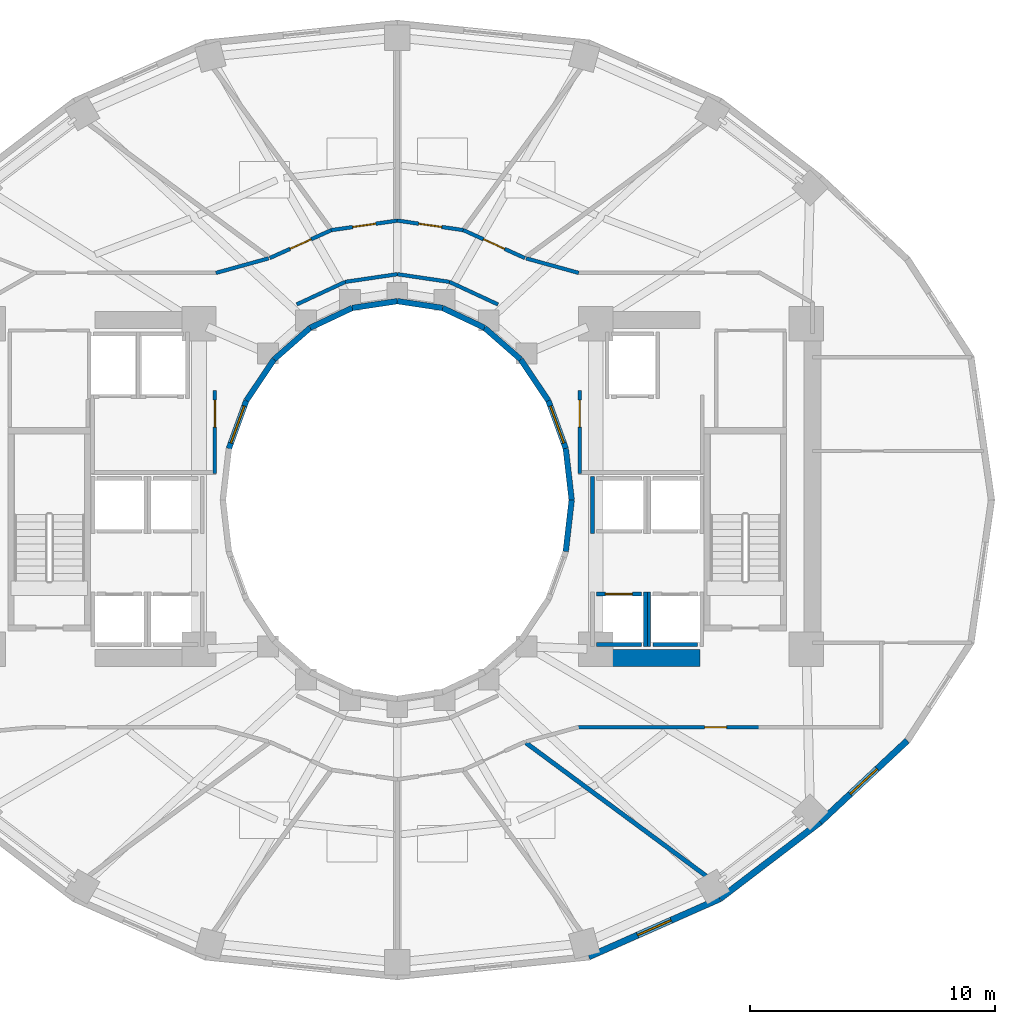
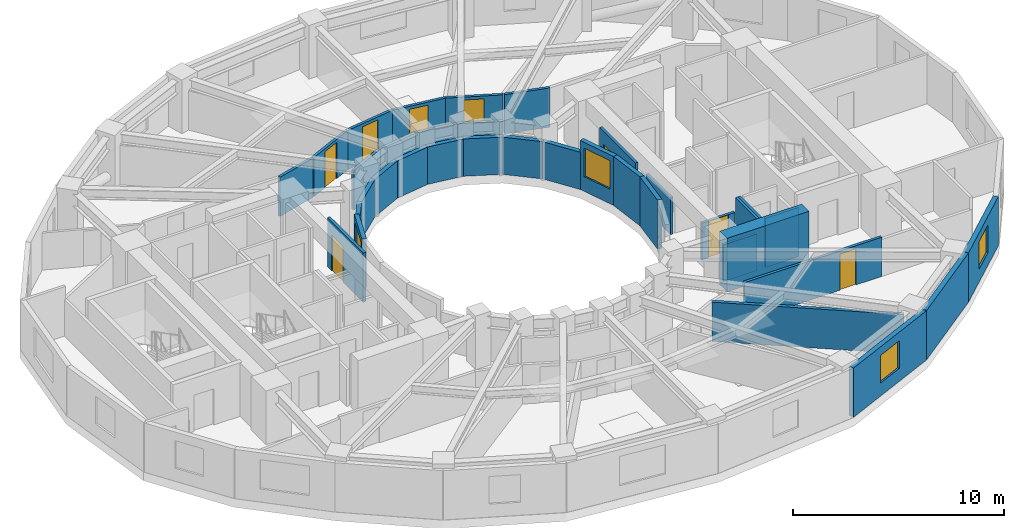
# One storey, part 5 of 9: 36 walls, 8 doors, 4 windows, 12 openings.
"""IFC4 building model written with IfcOpenShell, lengths in metres."""

from ifc_helpers import new_model, si_unit, direction, frame, frame_2d, origin, place, context, subcontext, project, spatial, rectangle, extrude, material, layer, layer_set, type_object, element, fill, save


model = new_model("IFC4")

# Units and contexts
model_context = context("Model", 3, precision=1e-05, world=origin(), true_north=direction((0.0, 1.0)))
body_context = subcontext(model_context, "Body", "Model", "MODEL_VIEW")
ifc_project = project(units=[si_unit("LENGTHUNIT", "METRE"), si_unit("AREAUNIT", "SQUARE_METRE"), si_unit("VOLUMEUNIT", "CUBIC_METRE"), si_unit("PLANEANGLEUNIT", "RADIAN"), si_unit("MASSUNIT", "GRAM", prefix="KILO")], contexts=[model_context])

# Site, building, storey
site_placement = place(None, origin())
site = spatial("IfcSite", under=ifc_project, at=site_placement, CompositionType="ELEMENT")
building_placement = place(site_placement, origin())
building = spatial("IfcBuilding", under=site, at=building_placement, Name="Solvane Sanctuary Tower", CompositionType="ELEMENT")
storey_placement = place(building_placement, frame((0.0, 0.0, 104.199951171875)))
storey = spatial("IfcBuildingStorey", under=building, at=storey_placement, Name="L31", CompositionType="ELEMENT", Elevation=104.199951171875)

# Wall
ifc_material_1 = material(Name="Concrete C60/75", Category="concrete")
ifc_layer_1 = layer(ifc_material_1, 0.699951171875, Name="Concrete C60/75")
ifc_layer_set_1 = layer_set([ifc_layer_1], Name="Concrete C60/75")
wall_type_1 = type_object("IfcWallType", Name="Wall W-CORE-700", PredefinedType="SHEAR", material=ifc_layer_set_1)
wall_1_placement = place(storey_placement, frame((39.85009765625, 16.550048828125, 0.0), z_axis=(0.0, 0.0, 1.0), x_axis=(1.0, 0.0, 0.0)))
element("IfcWall", 1, at=wall_1_placement, inside=storey, type_object=wall_type_1, Name="L31 Core Shear Wall EC-S", PredefinedType="SHEAR", context=body_context, shape_type="SweptSolid", body=[
    extrude(rectangle(XDim=4.5, YDim=0.699951171875, at=frame_2d((2.25, 0.0))), origin(), (0.0, 0.0, 1.0), 3.10009765625),
])

# Wall, opening, door
ifc_material_2 = material(Name="Acoustic Gypsum Partition Board")
ifc_layer_2 = layer(ifc_material_2, 0.14990234375, Name="Acoustic Gypsum Partition Board")
ifc_layer_set_2 = layer_set([ifc_layer_2], Name="Acoustic Gypsum Partition Board")
wall_type_2 = type_object("IfcWallType", Name="Wall W-CORR-150", PredefinedType="PARTITIONING", material=ifc_layer_set_2)
wall_2_placement = place(storey_placement, frame((24.550048828125, 24.080078125, 0.0), z_axis=(0.0, 0.0, 1.0), x_axis=(0.0, 1.0, 0.0)))
wall_2 = element("IfcWall", 2, at=wall_2_placement, inside=storey, type_object=wall_type_2, Name="L31 West Firefighting Lobby East Wall", PredefinedType="PARTITIONING", context=body_context, shape_type="SweptSolid", body=[
    extrude(rectangle(XDim=3.39990234375, YDim=0.14990234375, at=frame_2d((1.699951171875, 0.0))), origin(), (0.0, 0.0, 1.0), 2.85498046875),
])
opening_1_placement = place(wall_2_placement, frame((1.893798828125, 0.0, 0.0)))
opening_1 = element("IfcOpeningElement", 3, at=opening_1_placement, cuts=wall_2, Name="Opening D-L31-04", PredefinedType="OPENING", context=body_context, shape_type="SweptSolid", body=[
    extrude(rectangle(XDim=1.10009765625, YDim=2.10009765625, at=frame_2d((0.550048828125, 1.050048828125))), frame((0.0, 0.0849609375, 0.0), z_axis=(0.0, -1.0, 0.0), x_axis=(1.0, 0.0, 0.0)), (0.0, 0.0, 1.0), 0.169921875),
])
ifc_material_3 = material(Name="Architectural Stainless Steel 316", Category="steel")
door_type_1 = type_object("IfcDoorType", Name="Door D-FFL", OperationType="NOTDEFINED", PredefinedType="DOOR", material=ifc_material_3)
door_1_placement = place(opening_1_placement, origin())
door_1 = element("IfcDoor", 4, at=door_1_placement, inside=storey, type_object=door_type_1, Name="L31 West Firefighting Lobby Fire Door", OperationType="SINGLE_SWING_LEFT", OverallHeight=2.10009765625, OverallWidth=1.10009765625, PredefinedType="DOOR", context=body_context, shape_type="SweptSolid", body=[
    extrude(rectangle(XDim=1.10009765625, YDim=2.10009765625, at=frame_2d((0.550048828125, 1.050048828125))), frame((0.0, 0.02490234375, 0.0), z_axis=(0.0, -1.0, 0.0), x_axis=(1.0, 0.0, 0.0)), (0.0, 0.0, 1.0), 0.050048828125),
])
fill(opening_1, door_1)

wall_3_placement = place(storey_placement, frame((39.449951171875, 24.080078125, 0.0), z_axis=(0.0, 0.0, 1.0), x_axis=(0.0, 1.0, 0.0)))
wall_3 = element("IfcWall", 5, at=wall_3_placement, inside=storey, type_object=wall_type_2, Name="L31 East Firefighting Lobby West Wall", PredefinedType="PARTITIONING", context=body_context, shape_type="SweptSolid", body=[
    extrude(rectangle(XDim=3.39990234375, YDim=0.14990234375, at=frame_2d((1.699951171875, 0.0))), origin(), (0.0, 0.0, 1.0), 2.85498046875),
])
opening_2_placement = place(wall_3_placement, frame((1.893798828125, 0.0, 0.0)))
opening_2 = element("IfcOpeningElement", 6, at=opening_2_placement, cuts=wall_3, Name="Opening D-L31-05", PredefinedType="OPENING", context=body_context, shape_type="SweptSolid", body=[
    extrude(rectangle(XDim=1.10009765625, YDim=2.10009765625, at=frame_2d((0.550048828125, 1.050048828125))), frame((0.0, 0.0849609375, 0.0), z_axis=(0.0, -1.0, 0.0), x_axis=(1.0, 0.0, 0.0)), (0.0, 0.0, 1.0), 0.169921875),
])
door_2_placement = place(opening_2_placement, origin())
door_2 = element("IfcDoor", 7, at=door_2_placement, inside=storey, type_object=door_type_1, Name="L31 East Firefighting Lobby Fire Door", OperationType="SINGLE_SWING_RIGHT", OverallHeight=2.10009765625, OverallWidth=1.10009765625, PredefinedType="DOOR", context=body_context, shape_type="SweptSolid", body=[
    extrude(rectangle(XDim=1.10009765625, YDim=2.10009765625, at=frame_2d((0.550048828125, 1.050048828125))), frame((0.0, 0.02490234375, 0.0), z_axis=(0.0, -1.0, 0.0), x_axis=(1.0, 0.0, 0.0)), (0.0, 0.0, 1.0), 0.050048828125),
])
fill(opening_2, door_2)

# Walls
wall_4_placement = place(storey_placement, frame((36.110107421875, 30.98486328125, 0.0), z_axis=(0.0, 0.0, 1.0), x_axis=(-0.906943449489, 0.421252393975, 0.0)))
element("IfcWall", 8, at=wall_4_placement, inside=storey, type_object=wall_type_2, Name="L31 Light-Well Corridor Rim Wall N1", PredefinedType="PARTITIONING", context=body_context, shape_type="SweptSolid", body=[
    extrude(rectangle(XDim=2.18603515625, YDim=0.14990234375, at=frame_2d((1.093017578125, 0.0))), origin(), (0.0, 0.0, 1.0), 2.27197265625),
])
for number, where, z_axis, x_axis, name in (
    (9, (34.12744140625, 31.90576171875, 0.0), (0.0, 0.0, 1.0), (-0.989268584896, 0.146108408166, 0.0), "L31 Light-Well Corridor Rim Wall N2"),
    (10, (32.0, 32.219970703125, 0.0), (0.0, 0.0, 1.0), (-0.989268584896, -0.146108408166, 0.0), "L31 Light-Well Corridor Rim Wall N3"),
):
    element("IfcWall", number, at=place(storey_placement, frame(where, z_axis=z_axis, x_axis=x_axis)), inside=storey, type_object=wall_type_2, Name=name, PredefinedType="PARTITIONING", context=body_context, shape_type="SweptSolid", body=[
        extrude(rectangle(XDim=2.150634765625, YDim=0.14990234375, at=frame_2d((1.0751953125, 0.0))), origin(), (0.0, 0.0, 1.0), 2.27197265625),
    ])
wall_5_placement = place(storey_placement, frame((29.87255859375, 31.90576171875, 0.0), z_axis=(0.0, 0.0, 1.0), x_axis=(-0.906943449489, -0.421252393975, 0.0)))
element("IfcWall", 11, at=wall_5_placement, inside=storey, type_object=wall_type_2, Name="L31 Light-Well Corridor Rim Wall N4", PredefinedType="PARTITIONING", context=body_context, shape_type="SweptSolid", body=[
    extrude(rectangle(XDim=2.18603515625, YDim=0.14990234375, at=frame_2d((1.093017578125, 0.0))), origin(), (0.0, 0.0, 1.0), 2.27197265625),
])
for number, where, z_axis, x_axis, name in (
    (12, (37.258056640625, 32.86669921875, 0.0), (0.0, 0.0, 1.0), (0.963833843713, -0.266503886865, 0.0), "L31 NE Corner Throat Wall"),
    (13, (26.741943359375, 32.86669921875, 0.0), (0.0, 0.0, 1.0), (-0.963833843713, -0.266503886865, 0.0), "L31 NW Corner Throat Wall"),
):
    element("IfcWall", number, at=place(storey_placement, frame(where, z_axis=z_axis, x_axis=x_axis)), inside=storey, type_object=wall_type_2, Name=name, PredefinedType="PARTITIONING", context=body_context, shape_type="SweptSolid", body=[
        extrude(rectangle(XDim=2.231689453125, YDim=0.14990234375, at=frame_2d((1.11572265625, 0.0))), origin(), (0.0, 0.0, 1.0), 2.27197265625),
    ])

# Wall, opening, door
wall_6_placement = place(storey_placement, frame((39.330078125, 13.719970703125, 0.0), z_axis=(0.0, 0.0, 1.0), x_axis=(1.0, 0.0, 0.0)))
wall_6 = element("IfcWall", 14, at=wall_6_placement, inside=storey, type_object=wall_type_2, Name="L31 SE Corner Corridor Wall", PredefinedType="PARTITIONING", context=body_context, shape_type="SweptSolid", body=[
    extrude(rectangle(XDim=7.52001953125, YDim=0.14990234375, at=frame_2d((3.760009765625, 0.0))), origin(), (0.0, 0.0, 1.0), 2.27197265625),
])
opening_3_placement = place(wall_6_placement, frame((5.219970703125, 0.0, 0.0)))
opening_3 = element("IfcOpeningElement", 15, at=opening_3_placement, cuts=wall_6, Name="Opening D-L31-15", PredefinedType="OPENING", context=body_context, shape_type="SweptSolid", body=[
    extrude(rectangle(XDim=0.89990234375, YDim=2.10009765625, at=frame_2d((0.449951171875, 1.050048828125))), frame((0.0, 0.0849609375, 0.0), z_axis=(0.0, -1.0, 0.0), x_axis=(1.0, 0.0, 0.0)), (0.0, 0.0, 1.0), 0.169921875),
])
ifc_material_4 = material(Name="Engineered Tropical Hardwood", Category="wood")
door_type_2 = type_object("IfcDoorType", Name="Door D-WET-900", OperationType="NOTDEFINED", PredefinedType="DOOR", material=ifc_material_4)
door_3_placement = place(opening_3_placement, origin())
door_3 = element("IfcDoor", 16, at=door_3_placement, inside=storey, type_object=door_type_2, Name="L31 SE Corner Salon Door", OperationType="SINGLE_SWING_RIGHT", OverallHeight=2.10009765625, OverallWidth=0.89990234375, PredefinedType="DOOR", context=body_context, shape_type="SweptSolid", body=[
    extrude(rectangle(XDim=0.89990234375, YDim=2.10009765625, at=frame_2d((0.449951171875, 1.050048828125))), frame((0.0, 0.02490234375, 0.0), z_axis=(0.0, -1.0, 0.0), x_axis=(1.0, 0.0, 0.0)), (0.0, 0.0, 1.0), 0.050048828125),
])
fill(opening_3, door_3)

wall_7_placement = place(storey_placement, frame((37.211181640625, 32.87744140625, 0.0), z_axis=(0.0, 0.0, 1.0), x_axis=(-0.910568469686, 0.41335827319, 0.0)))
wall_7 = element("IfcWall", 17, at=wall_7_placement, inside=storey, type_object=wall_type_2, Name="L31 Unit Corridor Wall N1", PredefinedType="PARTITIONING", context=body_context, shape_type="SweptSolid", body=[
    extrude(rectangle(XDim=2.771728515625, YDim=0.14990234375, at=frame_2d((1.3857421875, 0.0))), origin(), (0.0, 0.0, 1.0), 2.27197265625),
])
opening_4_placement = place(wall_7_placement, frame((0.910888671875, 0.0, 0.0)))
opening_4 = element("IfcOpeningElement", 18, at=opening_4_placement, cuts=wall_7, Name="Opening D-L31-16", PredefinedType="OPENING", context=body_context, shape_type="SweptSolid", body=[
    extrude(rectangle(XDim=0.949951171875, YDim=2.10009765625, at=frame_2d((0.47509765625, 1.050048828125))), frame((0.0, 0.0849609375, 0.0), z_axis=(0.0, -1.0, 0.0), x_axis=(1.0, 0.0, 0.0)), (0.0, 0.0, 1.0), 0.169921875),
])
door_type_3 = type_object("IfcDoorType", Name="Door D-ROOM-950", OperationType="NOTDEFINED", PredefinedType="DOOR", material=ifc_material_4)
door_4_placement = place(opening_4_placement, origin())
door_4 = element("IfcDoor", 19, at=door_4_placement, inside=storey, type_object=door_type_3, Name="L31 Unit Entrance Door N1", OperationType="SINGLE_SWING_LEFT", OverallHeight=2.10009765625, OverallWidth=0.949951171875, PredefinedType="DOOR", context=body_context, shape_type="SweptSolid", body=[
    extrude(rectangle(XDim=0.949951171875, YDim=2.10009765625, at=frame_2d((0.47509765625, 1.050048828125))), frame((0.0, 0.02490234375, 0.0), z_axis=(0.0, -1.0, 0.0), x_axis=(1.0, 0.0, 0.0)), (0.0, 0.0, 1.0), 0.050048828125),
])
fill(opening_4, door_4)

wall_8_placement = place(storey_placement, frame((34.701416015625, 34.01904296875, 0.0), z_axis=(0.0, 0.0, 1.0), x_axis=(-0.989748682384, 0.142819976611, 0.0)))
wall_8 = element("IfcWall", 20, at=wall_8_placement, inside=storey, type_object=wall_type_2, Name="L31 Unit Corridor Wall N2", PredefinedType="PARTITIONING", context=body_context, shape_type="SweptSolid", body=[
    extrude(rectangle(XDim=2.73681640625, YDim=0.14990234375, at=frame_2d((1.368408203125, 0.0))), origin(), (0.0, 0.0, 1.0), 2.27197265625),
])
opening_5_placement = place(wall_8_placement, frame((0.893310546875, 0.0, 0.0)))
opening_5 = element("IfcOpeningElement", 21, at=opening_5_placement, cuts=wall_8, Name="Opening D-L31-17", PredefinedType="OPENING", context=body_context, shape_type="SweptSolid", body=[
    extrude(rectangle(XDim=0.949951171875, YDim=2.10009765625, at=frame_2d((0.47509765625, 1.050048828125))), frame((0.0, 0.0849609375, 0.0), z_axis=(0.0, -1.0, 0.0), x_axis=(1.0, 0.0, 0.0)), (0.0, 0.0, 1.0), 0.169921875),
])
door_5_placement = place(opening_5_placement, origin())
door_5 = element("IfcDoor", 22, at=door_5_placement, inside=storey, type_object=door_type_3, Name="L31 Unit Entrance Door N2", OperationType="SINGLE_SWING_RIGHT", OverallHeight=2.10009765625, OverallWidth=0.949951171875, PredefinedType="DOOR", context=body_context, shape_type="SweptSolid", body=[
    extrude(rectangle(XDim=0.949951171875, YDim=2.10009765625, at=frame_2d((0.47509765625, 1.050048828125))), frame((0.0, 0.02490234375, 0.0), z_axis=(0.0, -1.0, 0.0), x_axis=(1.0, 0.0, 0.0)), (0.0, 0.0, 1.0), 0.050048828125),
])
fill(opening_5, door_5)

wall_9_placement = place(storey_placement, frame((32.00732421875, 34.409912109375, 0.0), z_axis=(0.0, 0.0, 1.0), x_axis=(-0.989748682384, -0.142819976611, 0.0)))
wall_9 = element("IfcWall", 23, at=wall_9_placement, inside=storey, type_object=wall_type_2, Name="L31 Unit Corridor Wall N3", PredefinedType="PARTITIONING", context=body_context, shape_type="SweptSolid", body=[
    extrude(rectangle(XDim=2.73681640625, YDim=0.14990234375, at=frame_2d((1.368408203125, 0.0))), origin(), (0.0, 0.0, 1.0), 2.27197265625),
])
opening_6_placement = place(wall_9_placement, frame((0.893310546875, 0.0, 0.0)))
opening_6 = element("IfcOpeningElement", 24, at=opening_6_placement, cuts=wall_9, Name="Opening D-L31-18", PredefinedType="OPENING", context=body_context, shape_type="SweptSolid", body=[
    extrude(rectangle(XDim=0.949951171875, YDim=2.10009765625, at=frame_2d((0.47509765625, 1.050048828125))), frame((0.0, 0.0849609375, 0.0), z_axis=(0.0, -1.0, 0.0), x_axis=(1.0, 0.0, 0.0)), (0.0, 0.0, 1.0), 0.169921875),
])
door_6_placement = place(opening_6_placement, origin())
door_6 = element("IfcDoor", 25, at=door_6_placement, inside=storey, type_object=door_type_3, Name="L31 Unit Entrance Door N3", OperationType="SINGLE_SWING_LEFT", OverallHeight=2.10009765625, OverallWidth=0.949951171875, PredefinedType="DOOR", context=body_context, shape_type="SweptSolid", body=[
    extrude(rectangle(XDim=0.949951171875, YDim=2.10009765625, at=frame_2d((0.47509765625, 1.050048828125))), frame((0.0, 0.02490234375, 0.0), z_axis=(0.0, -1.0, 0.0), x_axis=(1.0, 0.0, 0.0)), (0.0, 0.0, 1.0), 0.050048828125),
])
fill(opening_6, door_6)

wall_10_placement = place(storey_placement, frame((29.312744140625, 34.023193359375, 0.0), z_axis=(0.0, 0.0, 1.0), x_axis=(-0.910568469686, -0.41335827319, 0.0)))
wall_10 = element("IfcWall", 26, at=wall_10_placement, inside=storey, type_object=wall_type_2, Name="L31 Unit Corridor Wall N4", PredefinedType="PARTITIONING", context=body_context, shape_type="SweptSolid", body=[
    extrude(rectangle(XDim=2.771728515625, YDim=0.14990234375, at=frame_2d((1.3857421875, 0.0))), origin(), (0.0, 0.0, 1.0), 2.27197265625),
])
opening_7_placement = place(wall_10_placement, frame((0.910888671875, 0.0, 0.0)))
opening_7 = element("IfcOpeningElement", 27, at=opening_7_placement, cuts=wall_10, Name="Opening D-L31-19", PredefinedType="OPENING", context=body_context, shape_type="SweptSolid", body=[
    extrude(rectangle(XDim=0.949951171875, YDim=2.10009765625, at=frame_2d((0.47509765625, 1.050048828125))), frame((0.0, 0.0849609375, 0.0), z_axis=(0.0, -1.0, 0.0), x_axis=(1.0, 0.0, 0.0)), (0.0, 0.0, 1.0), 0.169921875),
])
door_7_placement = place(opening_7_placement, origin())
door_7 = element("IfcDoor", 28, at=door_7_placement, inside=storey, type_object=door_type_3, Name="L31 Unit Entrance Door N4", OperationType="SINGLE_SWING_RIGHT", OverallHeight=2.10009765625, OverallWidth=0.949951171875, PredefinedType="DOOR", context=body_context, shape_type="SweptSolid", body=[
    extrude(rectangle(XDim=0.949951171875, YDim=2.10009765625, at=frame_2d((0.47509765625, 1.050048828125))), frame((0.0, 0.02490234375, 0.0), z_axis=(0.0, -1.0, 0.0), x_axis=(1.0, 0.0, 0.0)), (0.0, 0.0, 1.0), 0.050048828125),
])
fill(opening_7, door_7)

# Wall, opening, window
ifc_material_5 = material(Name="Precast concrete C40/50", Category="concrete")
ifc_layer_3 = layer(ifc_material_5, 0.260009765625, Name="Precast concrete C40/50")
ifc_layer_set_3 = layer_set([ifc_layer_3], Name="Precast concrete C40/50")
wall_type_3 = type_object("IfcWallType", Name="Wall W-EXT-250", PredefinedType="STANDARD", material=ifc_layer_set_3)
wall_11_placement = place(storey_placement, frame((39.81640625, 4.349365234375, 0.0), z_axis=(0.0, 0.0, 1.0), x_axis=(0.914336605747, 0.404955023911, 0.0)))
wall_11 = element("IfcWall", 29, at=wall_11_placement, inside=storey, type_object=wall_type_3, Name="L31 Ceramic-Printed Facade Wall 19", PredefinedType="STANDARD", context=body_context, shape_type="SweptSolid", body=[
    extrude(rectangle(XDim=5.85888671875, YDim=0.260009765625, at=frame_2d((2.929443359375, 0.0))), origin(), (0.0, 0.0, 1.0), 2.85009765625),
])
opening_8_placement = place(wall_11_placement, frame((2.179443359375, 0.0, 0.75)))
opening_8 = element("IfcOpeningElement", 30, at=opening_8_placement, cuts=wall_11, Name="Opening WN-OPER-1500", PredefinedType="OPENING", context=body_context, shape_type="SweptSolid", body=[
    extrude(rectangle(XDim=1.5, YDim=1.60009765625, at=frame_2d((0.75, 0.800048828125))), frame((0.0, 0.139892578125, 0.0), z_axis=(0.0, -1.0, 0.0), x_axis=(1.0, 0.0, 0.0)), (0.0, 0.0, 1.0), 0.280029296875),
])
ifc_material_6 = material(Name="Dark Ceramic-Fritted Low-E Glass", Category="glass")
window_type_1 = type_object("IfcWindowType", Name="Window WN-OPER-1500", PartitioningType="SINGLE_PANEL", PredefinedType="WINDOW", material=ifc_material_6)
window_1_placement = place(opening_8_placement, origin())
window_1 = element("IfcWindow", 31, at=window_1_placement, inside=storey, type_object=window_type_1, Name="L31 Operable Facade Window 19", OverallHeight=1.60009765625, OverallWidth=1.5, PartitioningType="SINGLE_PANEL", PredefinedType="WINDOW", context=body_context, shape_type="SweptSolid", body=[
    extrude(rectangle(XDim=1.5, YDim=1.60009765625, at=frame_2d((0.75, 0.800048828125))), frame((0.0, 0.030029296875, 0.0), z_axis=(0.0, -1.0, 0.0), x_axis=(1.0, 0.0, 0.0)), (0.0, 0.0, 1.0), 0.06005859375),
])
fill(opening_8, window_1)

# Wall
wall_12_placement = place(storey_placement, frame((45.17333984375, 6.721923828125, 0.0), z_axis=(0.0, 0.0, 1.0), x_axis=(0.794809810864, 0.606858603427, 0.0)))
element("IfcWall", 32, at=wall_12_placement, inside=storey, type_object=wall_type_3, Name="L31 Ceramic-Printed Facade Wall 20", PredefinedType="STANDARD", context=body_context, shape_type="SweptSolid", body=[
    extrude(rectangle(XDim=5.149169921875, YDim=0.260009765625, at=frame_2d((2.57470703125, 0.0))), origin(), (0.0, 0.0, 1.0), 2.85009765625),
])

# Wall, opening, window
wall_13_placement = place(storey_placement, frame((49.265869140625, 9.8466796875, 0.0), z_axis=(0.0, 0.0, 1.0), x_axis=(0.730162452258, 0.68327358599, 0.0)))
wall_13 = element("IfcWall", 33, at=wall_13_placement, inside=storey, type_object=wall_type_3, Name="L31 Ceramic-Printed Facade Wall 21", PredefinedType="STANDARD", context=body_context, shape_type="SweptSolid", body=[
    extrude(rectangle(XDim=4.868408203125, YDim=0.260009765625, at=frame_2d((2.43408203125, 0.0))), origin(), (0.0, 0.0, 1.0), 2.85009765625),
])
opening_9_placement = place(wall_13_placement, frame((1.68408203125, 0.0, 0.75)))
opening_9 = element("IfcOpeningElement", 34, at=opening_9_placement, cuts=wall_13, Name="Opening WN-OPER-1500", PredefinedType="OPENING", context=body_context, shape_type="SweptSolid", body=[
    extrude(rectangle(XDim=1.5, YDim=1.60009765625, at=frame_2d((0.75, 0.800048828125))), frame((0.0, 0.139892578125, 0.0), z_axis=(0.0, -1.0, 0.0), x_axis=(1.0, 0.0, 0.0)), (0.0, 0.0, 1.0), 0.280029296875),
])
window_2_placement = place(opening_9_placement, origin())
window_2 = element("IfcWindow", 35, at=window_2_placement, inside=storey, type_object=window_type_1, Name="L31 Operable Facade Window 21", OverallHeight=1.60009765625, OverallWidth=1.5, PartitioningType="SINGLE_PANEL", PredefinedType="WINDOW", context=body_context, shape_type="SweptSolid", body=[
    extrude(rectangle(XDim=1.5, YDim=1.60009765625, at=frame_2d((0.75, 0.800048828125))), frame((0.0, 0.030029296875, 0.0), z_axis=(0.0, -1.0, 0.0), x_axis=(1.0, 0.0, 0.0)), (0.0, 0.0, 1.0), 0.06005859375),
])
fill(opening_9, window_2)

# Wall
ifc_layer_4 = layer(ifc_material_5, 0.22998046875, Name="Precast concrete C40/50")
ifc_layer_set_4 = layer_set([ifc_layer_4], Name="Precast concrete C40/50")
wall_type_4 = type_object("IfcWallType", Name="Wall W-EXT-SP220", PredefinedType="STANDARD", material=ifc_layer_set_4)
wall_14_placement = place(storey_placement, frame((39.1201171875, 23.0, 0.0), z_axis=(0.0, 0.0, 1.0), x_axis=(-0.114711713601, 0.993398823617, 0.0)))
element("IfcWall", 36, at=wall_14_placement, inside=storey, type_object=wall_type_4, Name="L31 Central Light-Well Wall 00", PredefinedType="STANDARD", context=body_context, shape_type="SweptSolid", body=[
    extrude(rectangle(XDim=2.115478515625, YDim=0.22998046875, at=frame_2d((1.0576171875, 0.0))), origin(), (0.0, 0.0, 1.0), 2.840087890625),
])

# Wall, opening, window
wall_15_placement = place(storey_placement, frame((38.87744140625, 25.1015625, 0.0), z_axis=(0.0, 0.0, 1.0), x_axis=(-0.341423187295, 0.93990968033, 0.0)))
wall_15 = element("IfcWall", 37, at=wall_15_placement, inside=storey, type_object=wall_type_4, Name="L31 Central Light-Well Wall 01", PredefinedType="STANDARD", context=body_context, shape_type="SweptSolid", body=[
    extrude(rectangle(XDim=2.083740234375, YDim=0.22998046875, at=frame_2d((1.0419921875, 0.0))), origin(), (0.0, 0.0, 1.0), 2.840087890625),
])
opening_10_placement = place(wall_15_placement, frame((0.24169921875, 0.0, 0.85009765625)))
opening_10 = element("IfcOpeningElement", 38, at=opening_10_placement, cuts=wall_15, Name="Opening WN-WELL-1600", PredefinedType="OPENING", context=body_context, shape_type="SweptSolid", body=[
    extrude(rectangle(XDim=1.60009765625, YDim=1.64990234375, at=frame_2d((0.800048828125, 0.824951171875))), frame((0.0, 0.125, 0.0), z_axis=(0.0, -1.0, 0.0), x_axis=(1.0, 0.0, 0.0)), (0.0, 0.0, 1.0), 0.25),
])
ifc_material_7 = material(Name="Clear Laminated Light-Well Glass", Category="glass")
window_type_2 = type_object("IfcWindowType", Name="Window WN-WELL-1600", PartitioningType="SINGLE_PANEL", PredefinedType="WINDOW", material=ifc_material_7)
window_3_placement = place(opening_10_placement, origin())
window_3 = element("IfcWindow", 39, at=window_3_placement, inside=storey, type_object=window_type_2, Name="L31 Light-Well Daylight Window 01", OverallHeight=1.64990234375, OverallWidth=1.60009765625, PartitioningType="SINGLE_PANEL", PredefinedType="WINDOW", context=body_context, shape_type="SweptSolid", body=[
    extrude(rectangle(XDim=1.60009765625, YDim=1.64990234375, at=frame_2d((0.800048828125, 0.824951171875))), frame((0.0, 0.030029296875, 0.0), z_axis=(0.0, -1.0, 0.0), x_axis=(1.0, 0.0, 0.0)), (0.0, 0.0, 1.0), 0.06005859375),
])
fill(opening_10, window_3)

# Walls
wall_16_placement = place(storey_placement, frame((38.166015625, 27.06005859375, 0.0), z_axis=(0.0, 0.0, 1.0), x_axis=(-0.558197800898, 0.829707909492, 0.0)))
element("IfcWall", 40, at=wall_16_placement, inside=storey, type_object=wall_type_4, Name="L31 Central Light-Well Wall 02", PredefinedType="STANDARD", context=body_context, shape_type="SweptSolid", body=[
    extrude(rectangle(XDim=2.02685546875, YDim=0.22998046875, at=frame_2d((1.013427734375, 0.0))), origin(), (0.0, 0.0, 1.0), 2.16015625),
])
wall_17_placement = place(storey_placement, frame((37.03466796875, 28.74169921875, 0.0), z_axis=(0.0, 0.0, 1.0), x_axis=(-0.752576694707, 0.658504607869, 0.0)))
element("IfcWall", 41, at=wall_17_placement, inside=storey, type_object=wall_type_4, Name="L31 Central Light-Well Wall 03", PredefinedType="STANDARD", context=body_context, shape_type="SweptSolid", body=[
    extrude(rectangle(XDim=1.95947265625, YDim=0.22998046875, at=frame_2d((0.979736328125, 0.0))), origin(), (0.0, 0.0, 1.0), 2.16015625),
])
wall_18_placement = place(storey_placement, frame((35.56005859375, 30.031982421875, 0.0), z_axis=(0.0, 0.0, 1.0), x_axis=(-0.904179699603, 0.427152280606, 0.0)))
element("IfcWall", 42, at=wall_18_placement, inside=storey, type_object=wall_type_4, Name="L31 Central Light-Well Wall 04", PredefinedType="STANDARD", context=body_context, shape_type="SweptSolid", body=[
    extrude(rectangle(XDim=1.899169921875, YDim=0.22998046875, at=frame_2d((0.94970703125, 0.0))), origin(), (0.0, 0.0, 1.0), 2.16015625),
])
for number, where, z_axis, x_axis, name in (
    (43, (33.8427734375, 30.84326171875, 0.0), (0.0, 0.0, 1.0), (-0.988901730308, 0.148571086668, 0.0), "L31 Central Light-Well Wall 05"),
    (44, (32.0, 31.1201171875, 0.0), (0.0, 0.0, 1.0), (-0.988901730308, -0.148571086668, 0.0), "L31 Central Light-Well Wall 06"),
):
    element("IfcWall", number, at=place(storey_placement, frame(where, z_axis=z_axis, x_axis=x_axis)), inside=storey, type_object=wall_type_4, Name=name, PredefinedType="STANDARD", context=body_context, shape_type="SweptSolid", body=[
        extrude(rectangle(XDim=1.863525390625, YDim=0.22998046875, at=frame_2d((0.931640625, 0.0))), origin(), (0.0, 0.0, 1.0), 2.16015625),
    ])
wall_19_placement = place(storey_placement, frame((30.1572265625, 30.84326171875, 0.0), z_axis=(0.0, 0.0, 1.0), x_axis=(-0.904179699603, -0.427152280606, 0.0)))
element("IfcWall", 45, at=wall_19_placement, inside=storey, type_object=wall_type_4, Name="L31 Central Light-Well Wall 07", PredefinedType="STANDARD", context=body_context, shape_type="SweptSolid", body=[
    extrude(rectangle(XDim=1.899169921875, YDim=0.22998046875, at=frame_2d((0.94970703125, 0.0))), origin(), (0.0, 0.0, 1.0), 2.16015625),
])
wall_20_placement = place(storey_placement, frame((28.43994140625, 30.031982421875, 0.0), z_axis=(0.0, 0.0, 1.0), x_axis=(-0.752576694707, -0.658504607869, 0.0)))
element("IfcWall", 46, at=wall_20_placement, inside=storey, type_object=wall_type_4, Name="L31 Central Light-Well Wall 08", PredefinedType="STANDARD", context=body_context, shape_type="SweptSolid", body=[
    extrude(rectangle(XDim=1.95947265625, YDim=0.22998046875, at=frame_2d((0.979736328125, 0.0))), origin(), (0.0, 0.0, 1.0), 2.16015625),
])
wall_21_placement = place(storey_placement, frame((26.96533203125, 28.74169921875, 0.0), z_axis=(0.0, 0.0, 1.0), x_axis=(-0.558197800898, -0.829707909492, 0.0)))
element("IfcWall", 47, at=wall_21_placement, inside=storey, type_object=wall_type_4, Name="L31 Central Light-Well Wall 09", PredefinedType="STANDARD", context=body_context, shape_type="SweptSolid", body=[
    extrude(rectangle(XDim=2.02685546875, YDim=0.22998046875, at=frame_2d((1.013427734375, 0.0))), origin(), (0.0, 0.0, 1.0), 2.16015625),
])

# Wall, opening, window
wall_22_placement = place(storey_placement, frame((25.833984375, 27.06005859375, 0.0), z_axis=(0.0, 0.0, 1.0), x_axis=(-0.341423187295, -0.93990968033, 0.0)))
wall_22 = element("IfcWall", 48, at=wall_22_placement, inside=storey, type_object=wall_type_4, Name="L31 Central Light-Well Wall 10", PredefinedType="STANDARD", context=body_context, shape_type="SweptSolid", body=[
    extrude(rectangle(XDim=2.083740234375, YDim=0.22998046875, at=frame_2d((1.0419921875, 0.0))), origin(), (0.0, 0.0, 1.0), 2.840087890625),
])
opening_11_placement = place(wall_22_placement, frame((0.24169921875, 0.0, 0.85009765625)))
opening_11 = element("IfcOpeningElement", 49, at=opening_11_placement, cuts=wall_22, Name="Opening WN-WELL-1600", PredefinedType="OPENING", context=body_context, shape_type="SweptSolid", body=[
    extrude(rectangle(XDim=1.60009765625, YDim=1.64990234375, at=frame_2d((0.800048828125, 0.824951171875))), frame((0.0, 0.125, 0.0), z_axis=(0.0, -1.0, 0.0), x_axis=(1.0, 0.0, 0.0)), (0.0, 0.0, 1.0), 0.25),
])
window_4_placement = place(opening_11_placement, origin())
window_4 = element("IfcWindow", 50, at=window_4_placement, inside=storey, type_object=window_type_2, Name="L31 Light-Well Daylight Window 10", OverallHeight=1.64990234375, OverallWidth=1.60009765625, PartitioningType="SINGLE_PANEL", PredefinedType="WINDOW", context=body_context, shape_type="SweptSolid", body=[
    extrude(rectangle(XDim=1.60009765625, YDim=1.64990234375, at=frame_2d((0.800048828125, 0.824951171875))), frame((0.0, 0.030029296875, 0.0), z_axis=(0.0, -1.0, 0.0), x_axis=(1.0, 0.0, 0.0)), (0.0, 0.0, 1.0), 0.06005859375),
])
fill(opening_11, window_4)

# Wall
wall_23_placement = place(storey_placement, frame((38.87744140625, 20.8984375, 0.0), z_axis=(0.0, 0.0, 1.0), x_axis=(0.114711713601, 0.993398823617, 0.0)))
element("IfcWall", 51, at=wall_23_placement, inside=storey, type_object=wall_type_4, Name="L31 Central Light-Well Wall 23", PredefinedType="STANDARD", context=body_context, shape_type="SweptSolid", body=[
    extrude(rectangle(XDim=2.115478515625, YDim=0.22998046875, at=frame_2d((1.0576171875, 0.0))), origin(), (0.0, 0.0, 1.0), 2.840087890625),
])

# Wall, opening, door
ifc_material_8 = material(Name="Concrete C50/60", Category="concrete")
ifc_layer_5 = layer(ifc_material_8, 0.14990234375, Name="Concrete C50/60")
ifc_layer_set_5 = layer_set([ifc_layer_5], Name="Concrete C50/60")
wall_type_5 = type_object("IfcWallType", Name="Wall W-SHAFT-150", PredefinedType="SOLIDWALL", material=ifc_layer_set_5)
wall_24_placement = place(storey_placement, frame((40.139892578125, 19.159912109375, 0.0), z_axis=(0.0, 0.0, 1.0), x_axis=(1.0, 0.0, 0.0)))
wall_24 = element("IfcWall", 52, at=wall_24_placement, inside=storey, type_object=wall_type_5, Name="L31 PL-3 Lift Shaft Wall F", PredefinedType="SOLIDWALL", context=body_context, shape_type="SweptSolid", body=[
    extrude(rectangle(XDim=1.820068359375, YDim=0.14990234375, at=frame_2d((0.91015625, 0.0))), origin(), (0.0, 0.0, 1.0), 2.1201171875),
])
opening_12_placement = place(wall_24_placement, frame((0.360107421875, 0.0, 0.0)))
opening_12 = element("IfcOpeningElement", 53, at=opening_12_placement, cuts=wall_24, Name="Opening LD-L31-03", PredefinedType="OPENING", context=body_context, shape_type="SweptSolid", body=[
    extrude(rectangle(XDim=1.10009765625, YDim=2.10009765625, at=frame_2d((0.550048828125, 1.050048828125))), frame((0.0, 0.0849609375, 0.0), z_axis=(0.0, -1.0, 0.0), x_axis=(1.0, 0.0, 0.0)), (0.0, 0.0, 1.0), 0.169921875),
])
door_type_4 = type_object("IfcDoorType", Name="Door LD-PASS-1100", OperationType="NOTDEFINED", PredefinedType="DOOR", material=ifc_material_3)
door_8_placement = place(opening_12_placement, origin())
door_8 = element("IfcDoor", 54, at=door_8_placement, inside=storey, type_object=door_type_4, Name="L31 PL-3 Lift Landing Door", OperationType="DOUBLE_DOOR_SLIDING", OverallHeight=2.10009765625, OverallWidth=1.10009765625, PredefinedType="DOOR", context=body_context, shape_type="SweptSolid", body=[
    extrude(rectangle(XDim=1.10009765625, YDim=2.10009765625, at=frame_2d((0.550048828125, 1.050048828125))), frame((0.0, 0.02490234375, 0.0), z_axis=(0.0, -1.0, 0.0), x_axis=(1.0, 0.0, 0.0)), (0.0, 0.0, 1.0), 0.050048828125),
])
fill(opening_12, door_8)

# Walls
wall_25_placement = place(storey_placement, frame((40.139892578125, 17.10009765625, 0.0), z_axis=(0.0, 0.0, 1.0), x_axis=(1.0, 0.0, 0.0)))
element("IfcWall", 55, at=wall_25_placement, inside=storey, type_object=wall_type_5, Name="L31 PL-3 Lift Shaft Wall B", PredefinedType="SOLIDWALL", context=body_context, shape_type="SweptSolid", body=[
    extrude(rectangle(XDim=1.820068359375, YDim=0.14990234375, at=frame_2d((0.91015625, 0.0))), origin(), (0.0, 0.0, 1.0), 2.1201171875),
])
wall_26_placement = place(storey_placement, frame((42.1298828125, 17.02001953125, 0.0), z_axis=(0.0, 0.0, 1.0), x_axis=(0.0, 1.0, 0.0)))
element("IfcWall", 56, at=wall_26_placement, inside=storey, type_object=wall_type_5, Name="L31 PL-3 Lift Shaft Wall S2", PredefinedType="SOLIDWALL", context=body_context, shape_type="SweptSolid", body=[
    extrude(rectangle(XDim=2.219970703125, YDim=0.14990234375, at=frame_2d((1.10986328125, 0.0))), origin(), (0.0, 0.0, 1.0), 2.85498046875),
])
wall_27_placement = place(storey_placement, frame((42.43994140625, 17.10009765625, 0.0), z_axis=(0.0, 0.0, 1.0), x_axis=(1.0, 0.0, 0.0)))
element("IfcWall", 57, at=wall_27_placement, inside=storey, type_object=wall_type_5, Name="L31 PL-4 Lift Shaft Wall B", PredefinedType="SOLIDWALL", context=body_context, shape_type="SweptSolid", body=[
    extrude(rectangle(XDim=1.820068359375, YDim=0.14990234375, at=frame_2d((0.91015625, 0.0))), origin(), (0.0, 0.0, 1.0), 2.85498046875),
])
wall_28_placement = place(storey_placement, frame((42.27001953125, 17.02001953125, 0.0), z_axis=(0.0, 0.0, 1.0), x_axis=(0.0, 1.0, 0.0)))
element("IfcWall", 58, at=wall_28_placement, inside=storey, type_object=wall_type_5, Name="L31 PL-4 Lift Shaft Wall S1", PredefinedType="SOLIDWALL", context=body_context, shape_type="SweptSolid", body=[
    extrude(rectangle(XDim=2.219970703125, YDim=0.14990234375, at=frame_2d((1.10986328125, 0.0))), origin(), (0.0, 0.0, 1.0), 2.85498046875),
])
wall_29_placement = place(storey_placement, frame((39.969970703125, 21.639892578125, 0.0), z_axis=(0.0, 0.0, 1.0), x_axis=(0.0, 1.0, 0.0)))
element("IfcWall", 59, at=wall_29_placement, inside=storey, type_object=wall_type_5, Name="L31 PH-2 Lift Shaft Wall S1", PredefinedType="SOLIDWALL", context=body_context, shape_type="SweptSolid", body=[
    extrude(rectangle(XDim=2.320068359375, YDim=0.14990234375, at=frame_2d((1.16015625, 0.0))), origin(), (0.0, 0.0, 1.0), 2.1201171875),
])
ifc_layer_6 = layer(ifc_material_2, 0.179931640625, Name="Acoustic Gypsum Partition Board")
ifc_layer_set_6 = layer_set([ifc_layer_6], Name="Acoustic Gypsum Partition Board")
wall_type_6 = type_object("IfcWallType", Name="Wall W-UNIT-180", PredefinedType="PARTITIONING", material=ifc_layer_set_6)
wall_30_placement = place(storey_placement, frame((37.249267578125, 13.0859375, 0.0), z_axis=(0.0, 0.0, 1.0), x_axis=(0.80430981394, -0.594210167533, 0.0)))
element("IfcWall", 60, at=wall_30_placement, inside=storey, type_object=wall_type_6, Name="L31 Radial Compartment Wall 300", PredefinedType="PARTITIONING", context=body_context, shape_type="SweptSolid", body=[
    extrude(rectangle(XDim=9.146240234375, YDim=0.179931640625, at=frame_2d((4.5732421875, 0.0))), origin(), (0.0, 0.0, 1.0), 2.27197265625),
])

save(model, "model.ifc")
